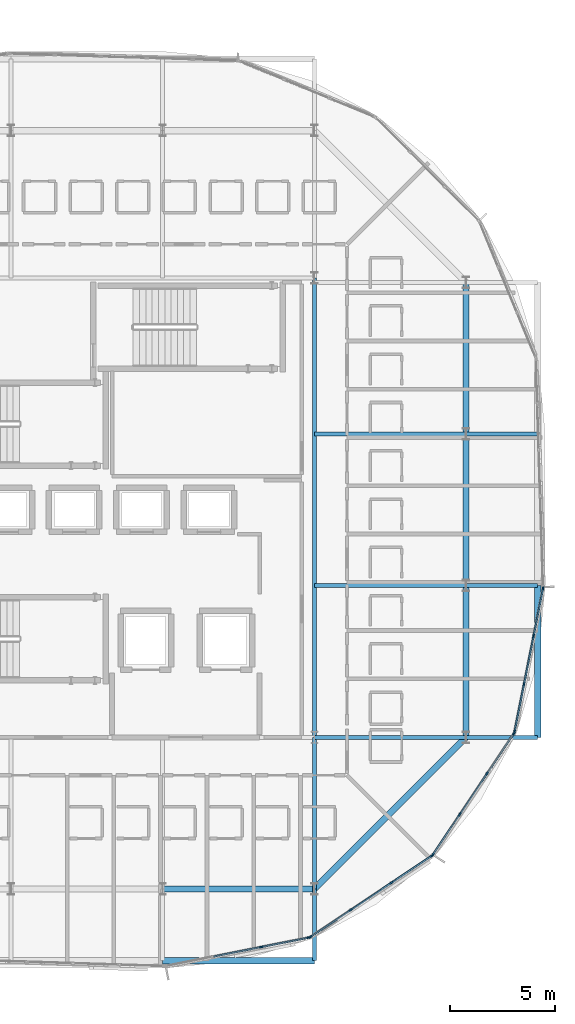
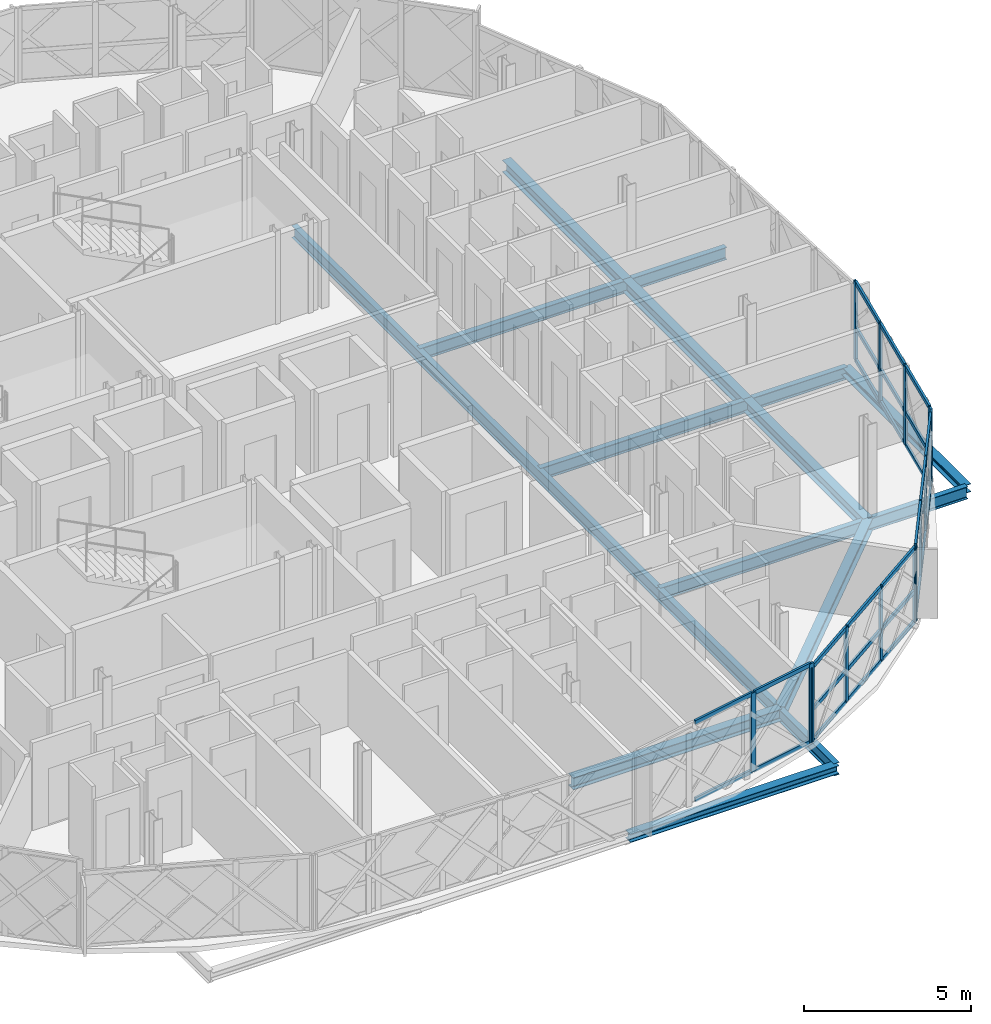
# One storey, part 9 of 50: 42 members, 16 beams, 4 elements without a shape of their own.
"""IFC4 building model written with IfcOpenShell, lengths in metres."""

import ifcopenshell
import ifcopenshell.guid

model = None  # the IFC model being written
_history = None  # IfcOwnerHistory: only IFC2X3 demands one
_inside = {}  # id of a spatial element -> (the spatial element, [elements in it])
_under = {}  # id of a project, library or spatial element -> (it, [spatial elements below it])
_declared = {}  # id of a project -> (the project, [libraries it declares])
_typed = {}  # id of a type object -> (the type object, [elements of that type])
_made_of = {}  # id of a material, layer set ... -> (it, [elements and type objects made of it])


def new_model(schema):
    """Start an empty IFC model of exactly this schema.

    Asked for "IFC4X3", IfcOpenShell would pick the latest addendum, in which some entities
    have other attributes; the version numbers below select the first issue.
    IFC2X3 requires an IfcOwnerHistory on every rooted entity: one is made here for all.
    """
    global model, _history
    if schema == "IFC4X3":
        model = ifcopenshell.file(schema_version=(4, 3, 0, 0))
    else:
        model = ifcopenshell.file(schema=schema)
    _inside.clear()
    _under.clear()
    _declared.clear()
    _typed.clear()
    _made_of.clear()
    _history = None
    if model.schema == "IFC2X3":
        org = make("IfcOrganization", Name="unknown")
        user = make(
            "IfcPersonAndOrganization",
            ThePerson=make("IfcPerson", FamilyName="unknown"),
            TheOrganization=org,
        )
        app = make(
            "IfcApplication",
            ApplicationDeveloper=org,
            Version="unknown",
            ApplicationFullName="unknown",
            ApplicationIdentifier="unknown",
        )
        _history = make(
            "IfcOwnerHistory",
            OwningUser=user,
            OwningApplication=app,
            ChangeAction="ADDED",
            CreationDate=0,
        )
    return model


def make(cls, **values):
    """One entity of the class cls with the attributes given. An attribute that is None is left unset."""
    return model.create_entity(
        cls, **{name: value for name, value in values.items() if value is not None}
    )


def rooted(cls, **values):
    """An entity with a GlobalId (a new one), such as an element, a storey or a relation."""
    return make(cls, GlobalId=ifcopenshell.guid.new(), OwnerHistory=_history, **values)


def si_unit(unit_type, name, prefix=None):
    """IfcSIUnit, for example si_unit("LENGTHUNIT", "METRE", prefix="MILLI")."""
    return make("IfcSIUnit", UnitType=unit_type, Prefix=prefix, Name=name)


def assignment(units):
    """IfcUnitAssignment: the units of a project."""
    return None if units is None else make("IfcUnitAssignment", Units=units)


def point(xyz):
    """IfcCartesianPoint."""
    return None if xyz is None else make("IfcCartesianPoint", Coordinates=xyz)


def direction(xyz):
    """IfcDirection."""
    return None if xyz is None else make("IfcDirection", DirectionRatios=xyz)


def frame(location, z_axis=None, x_axis=None):
    """IfcAxis2Placement3D, a coordinate frame: its origin and axes. An axis left out is left unset."""
    return make(
        "IfcAxis2Placement3D",
        Location=point(location),
        Axis=direction(z_axis),
        RefDirection=direction(x_axis),
    )


def frame_2d(location, x_axis=None):
    """IfcAxis2Placement2D, a coordinate frame in the plane: its origin and x axis."""
    return make(
        "IfcAxis2Placement2D", Location=point(location), RefDirection=direction(x_axis)
    )


def origin():
    """The frame at (0, 0, 0) with its axes left unset."""
    return frame((0.0, 0.0, 0.0))


def origin_2d():
    """The frame at (0, 0) in the plane with its x axis left unset."""
    return frame_2d((0.0, 0.0))


def place(relative_to, where):
    """IfcLocalPlacement: puts the frame where relative to a parent placement (None: the world)."""
    return make(
        "IfcLocalPlacement", PlacementRelTo=relative_to, RelativePlacement=where
    )


def context(
    kind, dimensions, precision=None, world=None, true_north=None, identifier=None
):
    """IfcGeometricRepresentationContext, for example the 3D "Model" context."""
    return make(
        "IfcGeometricRepresentationContext",
        ContextIdentifier=identifier,
        ContextType=kind,
        CoordinateSpaceDimension=dimensions,
        Precision=precision,
        WorldCoordinateSystem=world,
        TrueNorth=true_north,
    )


def subcontext(parent, identifier, kind, view, scale=None):
    """IfcGeometricRepresentationSubContext, for example "Body" below "Model"."""
    return make(
        "IfcGeometricRepresentationSubContext",
        ContextIdentifier=identifier,
        ContextType=kind,
        ParentContext=parent,
        TargetScale=scale,
        TargetView=view,
    )


def project(units=None, contexts=None):
    """IfcProject with its units and contexts."""
    return rooted(
        "IfcProject",
        Name="project",
        RepresentationContexts=contexts,
        UnitsInContext=assignment(units),
    )


def spatial(cls, under=None, at=None, **own):
    """A site, building, storey or space (cls), placed at a placement, below another one or the project."""
    s = rooted(cls, ObjectPlacement=at, **own)
    if under is not None:
        _under.setdefault(under.id(), (under, []))[1].append(s)
    return s


def profile(cls, at=None, kind="AREA", **sizes):
    """A parametric profile (cls). Its sizes go by their IFC names, for example OverallWidth=200.0."""
    return make(cls, ProfileType=kind, Position=at, **sizes)


def rectangle(**sizes):
    """IfcRectangleProfileDef."""
    return profile("IfcRectangleProfileDef", **sizes)


def i_section(**sizes):
    """IfcIShapeProfileDef."""
    return profile("IfcIShapeProfileDef", **sizes)


def extrude(swept, where, along, depth):
    """IfcExtrudedAreaSolid: the profile swept, set in the frame where, extruded along a direction by depth."""
    return make(
        "IfcExtrudedAreaSolid",
        SweptArea=swept,
        Position=where,
        ExtrudedDirection=direction(along),
        Depth=depth,
    )


def shape(context_of_items, identifier, shape_type, items):
    """IfcShapeRepresentation: the items that make up one representation, for example the "Body"."""
    return make(
        "IfcShapeRepresentation",
        ContextOfItems=context_of_items,
        RepresentationIdentifier=identifier,
        RepresentationType=shape_type,
        Items=items,
    )


def material(Name=None, Category=None):
    """IfcMaterial."""
    return make("IfcMaterial", Name=Name, Category=Category)


def layer(
    of_material, thickness, ventilated=None, Name=None, Category=None, Priority=None
):
    """IfcMaterialLayer: one layer of a wall or slab, of a material (None: an air gap)."""
    return make(
        "IfcMaterialLayer",
        Material=of_material,
        LayerThickness=thickness,
        IsVentilated=ventilated,
        Name=Name,
        Category=Category,
        Priority=Priority,
    )


def layer_set(layers, Name=None):
    """IfcMaterialLayerSet."""
    return make("IfcMaterialLayerSet", MaterialLayers=layers, LayerSetName=Name)


def material_profile(
    of_material, cross_section, Name=None, Category=None, Priority=None
):
    """IfcMaterialProfile: a cross section and its material."""
    return make(
        "IfcMaterialProfile",
        Name=Name,
        Material=of_material,
        Profile=cross_section,
        Priority=Priority,
        Category=Category,
    )


def profile_set(profiles, Name=None, composite=None):
    """IfcMaterialProfileSet."""
    return make(
        "IfcMaterialProfileSet",
        Name=Name,
        MaterialProfiles=profiles,
        CompositeProfile=composite,
    )


def made_of(thing, what):
    """Note that an element or type object is made of a material, layer set ...; save() writes the relation."""
    if what is not None:
        _made_of.setdefault(what.id(), (what, []))[1].append(thing)
    return thing


def type_object(cls, material=None, **own):
    """A type object (cls), such as IfcWallType, which elements share."""
    return made_of(rooted(cls, **own), material)


def element(
    cls,
    number,
    at=None,
    inside=None,
    cuts=None,
    type_object=None,
    material=None,
    context=None,
    identifier="Body",
    shape_type=None,
    held_by="IfcProductDefinitionShape",
    body=None,
    shapes=None,
    **own,
):
    """One element of the class cls, such as IfcWall. Its Tag is "e" and its number.

    at: its placement. inside: the storey or other place that contains it. cuts: it is an
    opening in that element (IfcRelVoidsElement). A single representation is given by context,
    identifier, shape_type and body (its items); several are given by shapes. held_by: the class
    of the entity that holds the representations. save() writes the other relations.
    """
    e = rooted(cls, Tag="e%d" % number, ObjectPlacement=at, **own)
    if body is not None:
        shapes = [shape(context, identifier, shape_type, body)]
    if shapes is not None:
        e.Representation = make(held_by, Representations=shapes)
    if inside is not None:
        _inside.setdefault(inside.id(), (inside, []))[1].append(e)
    if cuts is not None:
        rooted(
            "IfcRelVoidsElement", RelatingBuildingElement=cuts, RelatedOpeningElement=e
        )
    if type_object is not None:
        _typed.setdefault(type_object.id(), (type_object, []))[1].append(e)
    return made_of(e, material)


def aggregate(whole, parts):
    """IfcRelAggregates: a whole, such as a stair, and the parts it consists of."""
    return rooted("IfcRelAggregates", RelatingObject=whole, RelatedObjects=parts)


def save(model, path):
    """Write the relations noted so far, then the file.

    IfcRelAggregates (storeys below a building ...), IfcRelContainedInSpatialStructure (elements
    in a storey), IfcRelDefinesByType, IfcRelAssociatesMaterial and IfcRelDeclares: one each for
    every whole, place, type object, material and project.
    """
    for whole, parts in _under.values():
        aggregate(whole, parts)
    for where, things in _inside.values():
        rooted(
            "IfcRelContainedInSpatialStructure",
            RelatedElements=things,
            RelatingStructure=where,
        )
    for kind, things in _typed.values():
        rooted("IfcRelDefinesByType", RelatedObjects=things, RelatingType=kind)
    for what, things in _made_of.values():
        rooted("IfcRelAssociatesMaterial", RelatedObjects=things, RelatingMaterial=what)
    for by, libraries in _declared.values():
        rooted("IfcRelDeclares", RelatingContext=by, RelatedDefinitions=libraries)
    model.write(path)


model = new_model("IFC4")

# Units and contexts
model_context = context("Model", 3, precision=1e-05, world=origin(), true_north=direction((0.0, 1.0)))
body_context = subcontext(model_context, "Body", "Model", "MODEL_VIEW")
ifc_project = project(units=[si_unit("LENGTHUNIT", "METRE"), si_unit("AREAUNIT", "SQUARE_METRE"), si_unit("VOLUMEUNIT", "CUBIC_METRE"), si_unit("PLANEANGLEUNIT", "RADIAN"), si_unit("MASSUNIT", "GRAM", prefix="KILO")], contexts=[model_context])

# Site, building, storey
site_placement = place(None, origin())
site = spatial("IfcSite", under=ifc_project, at=site_placement, CompositionType="ELEMENT")
building_placement = place(site_placement, origin())
building = spatial("IfcBuilding", under=site, at=building_placement, Name="Zevrakil Square Congress Hotel", CompositionType="ELEMENT")
storey_placement = place(building_placement, frame((0.0, 0.0, 21.5)))
storey = spatial("IfcBuildingStorey", under=building, at=storey_placement, Name="L06", CompositionType="ELEMENT", Elevation=21.5)

# Beams
ifc_material_1 = material(Name="Steel S355", Category="steel")
ifc_material_profile_1 = material_profile(ifc_material_1, i_section(OverallWidth=0.300048828125, OverallDepth=0.43994140625, WebThickness=0.011474609375, FlangeThickness=0.02099609375, FilletRadius=0.027099609375, at=origin_2d()), Name="HEA 450")
ifc_profile_set_1 = profile_set([ifc_material_profile_1], Name="Steel S355")
beam_type_1 = type_object("IfcBeamType", Name="BM-HEA450", PredefinedType="BEAM", material=ifc_profile_set_1)
beam_1_placement = place(storey_placement, frame((148.800048828125, 9.60009765625, -0.409912109375), z_axis=(1.0, 0.0, 0.0), x_axis=(0.0, 1.0, 0.0)))
element("IfcBeam", 1, at=beam_1_placement, inside=storey, type_object=beam_type_1, Name="L06 drum ring girder DRB-03", PredefinedType="BEAM", context=body_context, shape_type="SweptSolid", body=[
    extrude(i_section(OverallWidth=0.300048828125, OverallDepth=0.43994140625, WebThickness=0.011474609375, FlangeThickness=0.02099609375, FilletRadius=0.027099609375, at=origin_2d()), origin(), (0.0, 0.0, 1.0), 7.199951171875),
])
beam_2_placement = place(storey_placement, frame((156.0, 9.60009765625, -0.409912109375), z_axis=(0.707106781187, 0.707106781187, 0.0), x_axis=(-0.707106781187, 0.707106781187, 0.0)))
element("IfcBeam", 2, at=beam_2_placement, inside=storey, type_object=beam_type_1, Name="L06 drum ring girder DRB-04", PredefinedType="BEAM", context=body_context, shape_type="SweptSolid", body=[
    extrude(i_section(OverallWidth=0.300048828125, OverallDepth=0.43994140625, WebThickness=0.011474609375, FlangeThickness=0.02099609375, FilletRadius=0.027099609375, at=origin_2d()), origin(), (0.0, 0.0, 1.0), 10.182373046875),
])
for number, where, z_axis, x_axis, name in (
    (3, (163.199951171875, 16.800048828125, -0.409912109375), (0.0, 1.0, 0.0), (-1.0, 0.0, 0.0), "L06 drum ring girder DRB-05"),
    (4, (163.199951171875, 24.0, -0.409912109375), (0.0, 1.0, 0.0), (-1.0, 0.0, 0.0), "L06 drum ring girder DRB-06"),
    (5, (163.199951171875, 31.199951171875, -0.409912109375), (0.0, 1.0, 0.0), (-1.0, 0.0, 0.0), "L06 drum ring girder DRB-07"),
):
    element("IfcBeam", number, at=place(storey_placement, frame(where, z_axis=z_axis, x_axis=x_axis)), inside=storey, type_object=beam_type_1, Name=name, PredefinedType="BEAM", context=body_context, shape_type="SweptSolid", body=[
        extrude(i_section(OverallWidth=0.300048828125, OverallDepth=0.43994140625, WebThickness=0.011474609375, FlangeThickness=0.02099609375, FilletRadius=0.027099609375, at=origin_2d()), origin(), (0.0, 0.0, 1.0), 7.199951171875),
    ])
ifc_material_2 = material(Name="Steel S355", Category="steel")
ifc_material_profile_2 = material_profile(ifc_material_2, i_section(OverallWidth=0.18994140625, OverallDepth=0.449951171875, WebThickness=0.009521484375, FlangeThickness=0.0146484375, FilletRadius=0.02099609375, at=origin_2d()), Name="IPE 450")
ifc_profile_set_2 = profile_set([ifc_material_profile_2], Name="Steel S355")
beam_type_2 = type_object("IfcBeamType", Name="BM-IPE450", PredefinedType="BEAM", material=ifc_profile_set_2)
beam_3_placement = place(storey_placement, frame((156.0, 16.800048828125, -0.4150390625), z_axis=(0.0, 1.0, 0.0), x_axis=(-1.0, 0.0, 0.0)))
element("IfcBeam", 6, at=beam_3_placement, inside=storey, type_object=beam_type_2, Name="L06 drum core perimeter tie beam DCB-02", PredefinedType="BEAM", context=body_context, shape_type="SweptSolid", body=[
    extrude(i_section(OverallWidth=0.18994140625, OverallDepth=0.449951171875, WebThickness=0.009521484375, FlangeThickness=0.0146484375, FilletRadius=0.02099609375, at=origin_2d()), origin(), (0.0, 0.0, 1.0), 21.800048828125),
])
beam_4_placement = place(storey_placement, frame((156.0, 16.800048828125, -0.4150390625), z_axis=(0.0, -1.0, 0.0), x_axis=(1.0, 0.0, 0.0)))
element("IfcBeam", 7, at=beam_4_placement, inside=storey, type_object=beam_type_2, Name="L06 drum radial floor beam DRI-04", PredefinedType="BEAM", context=body_context, shape_type="SweptSolid", body=[
    extrude(i_section(OverallWidth=0.18994140625, OverallDepth=0.449951171875, WebThickness=0.009521484375, FlangeThickness=0.0146484375, FilletRadius=0.02099609375, at=origin_2d()), origin(), (0.0, 0.0, 1.0), 7.199951171875),
])
beam_5_placement = place(storey_placement, frame((156.0, 9.60009765625, -0.4150390625), z_axis=(0.0, -1.0, 0.0), x_axis=(1.0, 0.0, 0.0)))
element("IfcBeam", 8, at=beam_5_placement, inside=storey, type_object=beam_type_2, Name="L06 drum radial edge cantilever beam DRO-04", PredefinedType="BEAM", context=body_context, shape_type="SweptSolid", body=[
    extrude(i_section(OverallWidth=0.18994140625, OverallDepth=0.449951171875, WebThickness=0.009521484375, FlangeThickness=0.0146484375, FilletRadius=0.02099609375, at=origin_2d()), origin(), (0.0, 0.0, 1.0), 3.400146484375),
])
beam_6_placement = place(storey_placement, frame((156.0, 16.800048828125, -0.4150390625), z_axis=(1.0, 0.0, 0.0), x_axis=(0.0, 1.0, 0.0)))
element("IfcBeam", 9, at=beam_6_placement, inside=storey, type_object=beam_type_2, Name="L06 drum radial floor beam DRI-05", PredefinedType="BEAM", context=body_context, shape_type="SweptSolid", body=[
    extrude(i_section(OverallWidth=0.18994140625, OverallDepth=0.449951171875, WebThickness=0.009521484375, FlangeThickness=0.0146484375, FilletRadius=0.02099609375, at=origin_2d()), origin(), (0.0, 0.0, 1.0), 7.199951171875),
])
beam_7_placement = place(storey_placement, frame((163.199951171875, 16.800048828125, -0.4150390625), z_axis=(1.0, 0.0, 0.0), x_axis=(0.0, 1.0, 0.0)))
element("IfcBeam", 10, at=beam_7_placement, inside=storey, type_object=beam_type_2, Name="L06 drum radial edge cantilever beam DRO-05", PredefinedType="BEAM", context=body_context, shape_type="SweptSolid", body=[
    extrude(i_section(OverallWidth=0.18994140625, OverallDepth=0.449951171875, WebThickness=0.009521484375, FlangeThickness=0.0146484375, FilletRadius=0.02099609375, at=origin_2d()), origin(), (0.0, 0.0, 1.0), 3.400146484375),
])
beam_8_placement = place(storey_placement, frame((156.0, 24.0, -0.4150390625), z_axis=(1.0, 0.0, 0.0), x_axis=(0.0, 1.0, 0.0)))
element("IfcBeam", 11, at=beam_8_placement, inside=storey, type_object=beam_type_2, Name="L06 drum radial floor beam DRI-06", PredefinedType="BEAM", context=body_context, shape_type="SweptSolid", body=[
    extrude(i_section(OverallWidth=0.18994140625, OverallDepth=0.449951171875, WebThickness=0.009521484375, FlangeThickness=0.0146484375, FilletRadius=0.02099609375, at=origin_2d()), origin(), (0.0, 0.0, 1.0), 7.199951171875),
])
beam_9_placement = place(storey_placement, frame((163.199951171875, 24.0, -0.4150390625), z_axis=(1.0, 0.0, 0.0), x_axis=(0.0, 1.0, 0.0)))
element("IfcBeam", 12, at=beam_9_placement, inside=storey, type_object=beam_type_2, Name="L06 drum radial edge cantilever beam DRO-06", PredefinedType="BEAM", context=body_context, shape_type="SweptSolid", body=[
    extrude(i_section(OverallWidth=0.18994140625, OverallDepth=0.449951171875, WebThickness=0.009521484375, FlangeThickness=0.0146484375, FilletRadius=0.02099609375, at=origin_2d()), origin(), (0.0, 0.0, 1.0), 3.400146484375),
])
beam_10_placement = place(storey_placement, frame((156.0, 31.199951171875, -0.4150390625), z_axis=(1.0, 0.0, 0.0), x_axis=(0.0, 1.0, 0.0)))
element("IfcBeam", 13, at=beam_10_placement, inside=storey, type_object=beam_type_2, Name="L06 drum radial floor beam DRI-07", PredefinedType="BEAM", context=body_context, shape_type="SweptSolid", body=[
    extrude(i_section(OverallWidth=0.18994140625, OverallDepth=0.449951171875, WebThickness=0.009521484375, FlangeThickness=0.0146484375, FilletRadius=0.02099609375, at=origin_2d()), origin(), (0.0, 0.0, 1.0), 7.199951171875),
])
beam_11_placement = place(storey_placement, frame((163.199951171875, 31.199951171875, -0.4150390625), z_axis=(1.0, 0.0, 0.0), x_axis=(0.0, 1.0, 0.0)))
element("IfcBeam", 14, at=beam_11_placement, inside=storey, type_object=beam_type_2, Name="L06 drum radial edge cantilever beam DRO-07", PredefinedType="BEAM", context=body_context, shape_type="SweptSolid", body=[
    extrude(i_section(OverallWidth=0.18994140625, OverallDepth=0.449951171875, WebThickness=0.009521484375, FlangeThickness=0.0146484375, FilletRadius=0.02099609375, at=origin_2d()), origin(), (0.0, 0.0, 1.0), 3.400146484375),
])

# Curtain wall, members
ifc_material_3 = material(Name="Aluminium Anodised Bronze", Category="aluminium")
ifc_layer = layer(ifc_material_3, 0.179931640625)
ifc_layer_set = layer_set([ifc_layer], Name="Aluminium Anodised Bronze")
curtain_wall_type = type_object("IfcCurtainWallType", Name="CW-L06-720", PredefinedType="USERDEFINED", material=ifc_layer_set)
curtain_wall_1_placement = place(storey_placement, origin())
curtain_wall_1 = element("IfcCurtainWall", 15, at=curtain_wall_1_placement, inside=storey, type_object=curtain_wall_type, Name="L06 diamond curtain wall CW-L06-0201", ObjectType="GLAZED CURTAIN WALL", PredefinedType="USERDEFINED")
ifc_material_4 = material(Name="Aluminium Anodised Bronze", Category="aluminium")
ifc_material_profile_3 = material_profile(ifc_material_4, rectangle(XDim=0.074951171875, YDim=0.14990234375, at=origin_2d()), Name="ALU 75x150")
ifc_profile_set_3 = profile_set([ifc_material_profile_3], Name="Aluminium Anodised Bronze")
member_type_1 = type_object("IfcMemberType", Name="CWM-ALU75x150", PredefinedType="USERDEFINED", material=ifc_profile_set_3)
member_1_placement = place(storey_placement, frame((151.224853515625, 6.4013671875, 0.030029296875), z_axis=(0.980786492568, 0.195084227953, 0.0), x_axis=(-0.195084227953, 0.980786492568, 0.0)))
member_1 = element("IfcMember", 16, at=member_1_placement, type_object=member_type_1, Name="CW-70 transom 2.1", ObjectType="TRANSOM", PredefinedType="USERDEFINED", context=body_context, shape_type="SweptSolid", body=[
    extrude(rectangle(XDim=0.074951171875, YDim=0.14990234375, at=origin_2d()), origin(), (0.0, 0.0, 1.0), 2.275146484375),
])
member_2_placement = place(storey_placement, frame((151.224853515625, 6.4013671875, 2.85009765625), z_axis=(0.980786492568, 0.195084227953, 0.0), x_axis=(-0.195084227953, 0.980786492568, 0.0)))
member_2 = element("IfcMember", 17, at=member_2_placement, type_object=member_type_1, Name="CW-70 transom 2.2", ObjectType="TRANSOM", PredefinedType="USERDEFINED", context=body_context, shape_type="SweptSolid", body=[
    extrude(rectangle(XDim=0.074951171875, YDim=0.14990234375, at=origin_2d()), origin(), (0.0, 0.0, 1.0), 2.275146484375),
])
member_3_placement = place(storey_placement, frame((153.51513671875, 6.85693359375, 0.030029296875), z_axis=(0.98078922397, 0.195070495322, 0.0), x_axis=(-0.195070495322, 0.98078922397, 0.0)))
member_3 = element("IfcMember", 18, at=member_3_placement, type_object=member_type_1, Name="CW-70 transom 3.1", ObjectType="TRANSOM", PredefinedType="USERDEFINED", context=body_context, shape_type="SweptSolid", body=[
    extrude(rectangle(XDim=0.074951171875, YDim=0.14990234375, at=origin_2d()), origin(), (0.0, 0.0, 1.0), 2.245361328125),
])
member_4_placement = place(storey_placement, frame((153.51513671875, 6.85693359375, 2.85009765625), z_axis=(0.98078922397, 0.195070495322, 0.0), x_axis=(-0.195070495322, 0.98078922397, 0.0)))
member_4 = element("IfcMember", 19, at=member_4_placement, type_object=member_type_1, Name="CW-70 transom 3.2", ObjectType="TRANSOM", PredefinedType="USERDEFINED", context=body_context, shape_type="SweptSolid", body=[
    extrude(rectangle(XDim=0.074951171875, YDim=0.14990234375, at=origin_2d()), origin(), (0.0, 0.0, 1.0), 2.245361328125),
])

curtain_wall_2_placement = place(storey_placement, origin())
curtain_wall_2 = element("IfcCurtainWall", 20, at=curtain_wall_2_placement, inside=storey, type_object=curtain_wall_type, Name="L06 diamond curtain wall CW-L06-0202", ObjectType="GLAZED CURTAIN WALL", PredefinedType="USERDEFINED")
member_5_placement = place(storey_placement, frame((155.825927734375, 7.340087890625, 0.030029296875), z_axis=(0.831497842201, 0.555527981667, 0.0), x_axis=(-0.555527981667, 0.831497842201, 0.0)))
member_5 = element("IfcMember", 21, at=member_5_placement, type_object=member_type_1, Name="CW-70 transom 1.1", ObjectType="TRANSOM", PredefinedType="USERDEFINED", context=body_context, shape_type="SweptSolid", body=[
    extrude(rectangle(XDim=0.074951171875, YDim=0.14990234375, at=origin_2d()), origin(), (0.0, 0.0, 1.0), 2.245361328125),
])
member_6_placement = place(storey_placement, frame((155.825927734375, 7.340087890625, 1.146484375), z_axis=(0.831497842201, 0.555527981667, 0.0), x_axis=(-0.555527981667, 0.831497842201, 0.0)))
member_6 = element("IfcMember", 22, at=member_6_placement, type_object=member_type_1, Name="CW-70 transom 1.2", ObjectType="TRANSOM", PredefinedType="USERDEFINED", context=body_context, shape_type="SweptSolid", body=[
    extrude(rectangle(XDim=0.074951171875, YDim=0.14990234375, at=origin_2d()), origin(), (0.0, 0.0, 1.0), 2.245361328125),
])
member_7_placement = place(storey_placement, frame((155.825927734375, 7.340087890625, 2.699951171875), z_axis=(0.831497842201, 0.555527981667, 0.0), x_axis=(-0.555527981667, 0.831497842201, 0.0)))
member_7 = element("IfcMember", 23, at=member_7_placement, type_object=member_type_1, Name="CW-70 transom 1.3", ObjectType="TRANSOM", PredefinedType="USERDEFINED", context=body_context, shape_type="SweptSolid", body=[
    extrude(rectangle(XDim=0.074951171875, YDim=0.14990234375, at=origin_2d()), origin(), (0.0, 0.0, 1.0), 2.245361328125),
])
member_8_placement = place(storey_placement, frame((157.74267578125, 8.620849609375, 0.030029296875), z_axis=(0.831505114703, 0.555517096247, 0.0), x_axis=(-0.555517096247, 0.831505114703, 0.0)))
member_8 = element("IfcMember", 24, at=member_8_placement, type_object=member_type_1, Name="CW-70 transom 2.1", ObjectType="TRANSOM", PredefinedType="USERDEFINED", context=body_context, shape_type="SweptSolid", body=[
    extrude(rectangle(XDim=0.074951171875, YDim=0.14990234375, at=origin_2d()), origin(), (0.0, 0.0, 1.0), 2.275146484375),
])
member_9_placement = place(storey_placement, frame((157.74267578125, 8.620849609375, 1.146484375), z_axis=(0.831505114703, 0.555517096247, 0.0), x_axis=(-0.555517096247, 0.831505114703, 0.0)))
member_9 = element("IfcMember", 25, at=member_9_placement, type_object=member_type_1, Name="CW-70 transom 2.2", ObjectType="TRANSOM", PredefinedType="USERDEFINED", context=body_context, shape_type="SweptSolid", body=[
    extrude(rectangle(XDim=0.074951171875, YDim=0.14990234375, at=origin_2d()), origin(), (0.0, 0.0, 1.0), 2.275146484375),
])
member_10_placement = place(storey_placement, frame((157.74267578125, 8.620849609375, 2.699951171875), z_axis=(0.831505114703, 0.555517096247, 0.0), x_axis=(-0.555517096247, 0.831505114703, 0.0)))
member_10 = element("IfcMember", 26, at=member_10_placement, type_object=member_type_1, Name="CW-70 transom 2.3", ObjectType="TRANSOM", PredefinedType="USERDEFINED", context=body_context, shape_type="SweptSolid", body=[
    extrude(rectangle(XDim=0.074951171875, YDim=0.14990234375, at=origin_2d()), origin(), (0.0, 0.0, 1.0), 2.275146484375),
])
member_11_placement = place(storey_placement, frame((159.684326171875, 9.918212890625, 0.030029296875), z_axis=(0.831497842201, 0.555527981667, 0.0), x_axis=(-0.555527981667, 0.831497842201, 0.0)))
member_11 = element("IfcMember", 27, at=member_11_placement, type_object=member_type_1, Name="CW-70 transom 3.1", ObjectType="TRANSOM", PredefinedType="USERDEFINED", context=body_context, shape_type="SweptSolid", body=[
    extrude(rectangle(XDim=0.074951171875, YDim=0.14990234375, at=origin_2d()), origin(), (0.0, 0.0, 1.0), 2.245361328125),
])
member_12_placement = place(storey_placement, frame((159.684326171875, 9.918212890625, 1.146484375), z_axis=(0.831497842201, 0.555527981667, 0.0), x_axis=(-0.555527981667, 0.831497842201, 0.0)))
member_12 = element("IfcMember", 28, at=member_12_placement, type_object=member_type_1, Name="CW-70 transom 3.2", ObjectType="TRANSOM", PredefinedType="USERDEFINED", context=body_context, shape_type="SweptSolid", body=[
    extrude(rectangle(XDim=0.074951171875, YDim=0.14990234375, at=origin_2d()), origin(), (0.0, 0.0, 1.0), 2.245361328125),
])
member_13_placement = place(storey_placement, frame((159.684326171875, 9.918212890625, 2.699951171875), z_axis=(0.831497842201, 0.555527981667, 0.0), x_axis=(-0.555527981667, 0.831497842201, 0.0)))
member_13 = element("IfcMember", 29, at=member_13_placement, type_object=member_type_1, Name="CW-70 transom 3.3", ObjectType="TRANSOM", PredefinedType="USERDEFINED", context=body_context, shape_type="SweptSolid", body=[
    extrude(rectangle(XDim=0.074951171875, YDim=0.14990234375, at=origin_2d()), origin(), (0.0, 0.0, 1.0), 2.245361328125),
])

curtain_wall_3_placement = place(storey_placement, origin())
curtain_wall_3 = element("IfcCurtainWall", 30, at=curtain_wall_3_placement, inside=storey, type_object=curtain_wall_type, Name="L06 diamond curtain wall CW-L06-0203", ObjectType="GLAZED CURTAIN WALL", PredefinedType="USERDEFINED")
member_14_placement = place(storey_placement, frame((161.634521484375, 11.248779296875, 0.030029296875), z_axis=(0.555527981667, 0.831497842201, 0.0), x_axis=(-0.831497842201, 0.555527981667, 0.0)))
member_14 = element("IfcMember", 31, at=member_14_placement, type_object=member_type_1, Name="CW-70 transom 1.1", ObjectType="TRANSOM", PredefinedType="USERDEFINED", context=body_context, shape_type="SweptSolid", body=[
    extrude(rectangle(XDim=0.074951171875, YDim=0.14990234375, at=origin_2d()), origin(), (0.0, 0.0, 1.0), 2.245361328125),
])
member_15_placement = place(storey_placement, frame((161.634521484375, 11.248779296875, 2.699951171875), z_axis=(0.555527981667, 0.831497842201, 0.0), x_axis=(-0.831497842201, 0.555527981667, 0.0)))
member_15 = element("IfcMember", 32, at=member_15_placement, type_object=member_type_1, Name="CW-70 transom 1.2", ObjectType="TRANSOM", PredefinedType="USERDEFINED", context=body_context, shape_type="SweptSolid", body=[
    extrude(rectangle(XDim=0.074951171875, YDim=0.14990234375, at=origin_2d()), origin(), (0.0, 0.0, 1.0), 2.245361328125),
])
member_16_placement = place(storey_placement, frame((162.915283203125, 13.16552734375, 0.030029296875), z_axis=(0.555517096247, 0.831505114703, 0.0), x_axis=(-0.831505114703, 0.555517096247, 0.0)))
member_16 = element("IfcMember", 33, at=member_16_placement, type_object=member_type_1, Name="CW-70 transom 2.1", ObjectType="TRANSOM", PredefinedType="USERDEFINED", context=body_context, shape_type="SweptSolid", body=[
    extrude(rectangle(XDim=0.074951171875, YDim=0.14990234375, at=origin_2d()), origin(), (0.0, 0.0, 1.0), 2.275146484375),
])
member_17_placement = place(storey_placement, frame((162.915283203125, 13.16552734375, 2.699951171875), z_axis=(0.555517096247, 0.831505114703, 0.0), x_axis=(-0.831505114703, 0.555517096247, 0.0)))
member_17 = element("IfcMember", 34, at=member_17_placement, type_object=member_type_1, Name="CW-70 transom 2.2", ObjectType="TRANSOM", PredefinedType="USERDEFINED", context=body_context, shape_type="SweptSolid", body=[
    extrude(rectangle(XDim=0.074951171875, YDim=0.14990234375, at=origin_2d()), origin(), (0.0, 0.0, 1.0), 2.275146484375),
])
member_18_placement = place(storey_placement, frame((164.212646484375, 15.107177734375, 0.030029296875), z_axis=(0.555527981667, 0.831497842201, 0.0), x_axis=(-0.831497842201, 0.555527981667, 0.0)))
member_18 = element("IfcMember", 35, at=member_18_placement, type_object=member_type_1, Name="CW-70 transom 3.1", ObjectType="TRANSOM", PredefinedType="USERDEFINED", context=body_context, shape_type="SweptSolid", body=[
    extrude(rectangle(XDim=0.074951171875, YDim=0.14990234375, at=origin_2d()), origin(), (0.0, 0.0, 1.0), 2.245361328125),
])
member_19_placement = place(storey_placement, frame((164.212646484375, 15.107177734375, 2.699951171875), z_axis=(0.555527981667, 0.831497842201, 0.0), x_axis=(-0.831497842201, 0.555527981667, 0.0)))
member_19 = element("IfcMember", 36, at=member_19_placement, type_object=member_type_1, Name="CW-70 transom 3.2", ObjectType="TRANSOM", PredefinedType="USERDEFINED", context=body_context, shape_type="SweptSolid", body=[
    extrude(rectangle(XDim=0.074951171875, YDim=0.14990234375, at=origin_2d()), origin(), (0.0, 0.0, 1.0), 2.245361328125),
])

curtain_wall_4_placement = place(storey_placement, origin())
curtain_wall_4 = element("IfcCurtainWall", 37, at=curtain_wall_4_placement, inside=storey, type_object=curtain_wall_type, Name="L06 diamond curtain wall CW-L06-0204", ObjectType="GLAZED CURTAIN WALL", PredefinedType="USERDEFINED")
member_20_placement = place(storey_placement, frame((165.505126953125, 17.082763671875, 0.030029296875), z_axis=(0.195070495322, 0.98078922397, 0.0), x_axis=(-0.98078922397, 0.195070495322, 0.0)))
member_20 = element("IfcMember", 38, at=member_20_placement, type_object=member_type_1, Name="CW-70 transom 1.1", ObjectType="TRANSOM", PredefinedType="USERDEFINED", context=body_context, shape_type="SweptSolid", body=[
    extrude(rectangle(XDim=0.074951171875, YDim=0.14990234375, at=origin_2d()), origin(), (0.0, 0.0, 1.0), 2.245361328125),
])
member_21_placement = place(storey_placement, frame((165.505126953125, 17.082763671875, 1.209716796875), z_axis=(0.195070495322, 0.98078922397, 0.0), x_axis=(-0.98078922397, 0.195070495322, 0.0)))
member_21 = element("IfcMember", 39, at=member_21_placement, type_object=member_type_1, Name="CW-70 transom 1.2", ObjectType="TRANSOM", PredefinedType="USERDEFINED", context=body_context, shape_type="SweptSolid", body=[
    extrude(rectangle(XDim=0.074951171875, YDim=0.14990234375, at=origin_2d()), origin(), (0.0, 0.0, 1.0), 2.245361328125),
])
member_22_placement = place(storey_placement, frame((165.505126953125, 17.082763671875, 2.85009765625), z_axis=(0.195070495322, 0.98078922397, 0.0), x_axis=(-0.98078922397, 0.195070495322, 0.0)))
member_22 = element("IfcMember", 40, at=member_22_placement, type_object=member_type_1, Name="CW-70 transom 1.3", ObjectType="TRANSOM", PredefinedType="USERDEFINED", context=body_context, shape_type="SweptSolid", body=[
    extrude(rectangle(XDim=0.074951171875, YDim=0.14990234375, at=origin_2d()), origin(), (0.0, 0.0, 1.0), 2.245361328125),
])
member_23_placement = place(storey_placement, frame((165.954833984375, 19.34375, 0.030029296875), z_axis=(0.195084227953, 0.980786492568, 0.0), x_axis=(-0.980786492568, 0.195084227953, 0.0)))
member_23 = element("IfcMember", 41, at=member_23_placement, type_object=member_type_1, Name="CW-70 transom 2.1", ObjectType="TRANSOM", PredefinedType="USERDEFINED", context=body_context, shape_type="SweptSolid", body=[
    extrude(rectangle(XDim=0.074951171875, YDim=0.14990234375, at=origin_2d()), origin(), (0.0, 0.0, 1.0), 2.275146484375),
])
member_24_placement = place(storey_placement, frame((165.954833984375, 19.34375, 1.209716796875), z_axis=(0.195084227953, 0.980786492568, 0.0), x_axis=(-0.980786492568, 0.195084227953, 0.0)))
member_24 = element("IfcMember", 42, at=member_24_placement, type_object=member_type_1, Name="CW-70 transom 2.2", ObjectType="TRANSOM", PredefinedType="USERDEFINED", context=body_context, shape_type="SweptSolid", body=[
    extrude(rectangle(XDim=0.074951171875, YDim=0.14990234375, at=origin_2d()), origin(), (0.0, 0.0, 1.0), 2.275146484375),
])
member_25_placement = place(storey_placement, frame((165.954833984375, 19.34375, 2.85009765625), z_axis=(0.195084227953, 0.980786492568, 0.0), x_axis=(-0.980786492568, 0.195084227953, 0.0)))
member_25 = element("IfcMember", 43, at=member_25_placement, type_object=member_type_1, Name="CW-70 transom 2.3", ObjectType="TRANSOM", PredefinedType="USERDEFINED", context=body_context, shape_type="SweptSolid", body=[
    extrude(rectangle(XDim=0.074951171875, YDim=0.14990234375, at=origin_2d()), origin(), (0.0, 0.0, 1.0), 2.275146484375),
])
member_26_placement = place(storey_placement, frame((166.410400390625, 21.634033203125, 0.030029296875), z_axis=(0.195070495322, 0.98078922397, 0.0), x_axis=(-0.98078922397, 0.195070495322, 0.0)))
member_26 = element("IfcMember", 44, at=member_26_placement, type_object=member_type_1, Name="CW-70 transom 3.1", ObjectType="TRANSOM", PredefinedType="USERDEFINED", context=body_context, shape_type="SweptSolid", body=[
    extrude(rectangle(XDim=0.074951171875, YDim=0.14990234375, at=origin_2d()), origin(), (0.0, 0.0, 1.0), 2.245361328125),
])
member_27_placement = place(storey_placement, frame((166.410400390625, 21.634033203125, 1.209716796875), z_axis=(0.195070495322, 0.98078922397, 0.0), x_axis=(-0.98078922397, 0.195070495322, 0.0)))
member_27 = element("IfcMember", 45, at=member_27_placement, type_object=member_type_1, Name="CW-70 transom 3.2", ObjectType="TRANSOM", PredefinedType="USERDEFINED", context=body_context, shape_type="SweptSolid", body=[
    extrude(rectangle(XDim=0.074951171875, YDim=0.14990234375, at=origin_2d()), origin(), (0.0, 0.0, 1.0), 2.245361328125),
])
member_28_placement = place(storey_placement, frame((166.410400390625, 21.634033203125, 2.85009765625), z_axis=(0.195070495322, 0.98078922397, 0.0), x_axis=(-0.98078922397, 0.195070495322, 0.0)))
member_28 = element("IfcMember", 46, at=member_28_placement, type_object=member_type_1, Name="CW-70 transom 3.3", ObjectType="TRANSOM", PredefinedType="USERDEFINED", context=body_context, shape_type="SweptSolid", body=[
    extrude(rectangle(XDim=0.074951171875, YDim=0.14990234375, at=origin_2d()), origin(), (0.0, 0.0, 1.0), 2.245361328125),
])

# Member
ifc_material_5 = material(Name="Aluminium Anodised Bronze", Category="aluminium")
ifc_material_profile_4 = material_profile(ifc_material_5, rectangle(XDim=0.074951171875, YDim=0.179931640625, at=origin_2d()), Name="ALU 75x180")
ifc_profile_set_4 = profile_set([ifc_material_profile_4], Name="Aluminium Anodised Bronze")
member_type_2 = type_object("IfcMemberType", Name="CWM-ALU75x180", PredefinedType="MULLION", material=ifc_profile_set_4)
member_29_placement = place(storey_placement, frame((153.48583984375, 6.85107421875, 0.0), z_axis=(0.0, 0.0, 1.0), x_axis=(-0.195083900459, 0.980786557708, 0.0)))
member_29 = element("IfcMember", 47, at=member_29_placement, type_object=member_type_2, Name="CW-70 mullion 3", PredefinedType="MULLION", context=body_context, shape_type="SweptSolid", body=[
    extrude(rectangle(XDim=0.074951171875, YDim=0.179931640625, at=origin_2d()), origin(), (0.0, 0.0, 1.0), 2.8798828125),
])

member_30_placement = place(storey_placement, frame((155.74658203125, 7.30078125, 0.0), z_axis=(0.0, 0.0, 1.0), x_axis=(-0.195083900459, 0.980786557708, 0.0)))
member_30 = element("IfcMember", 48, at=member_30_placement, type_object=member_type_2, Name="CW-70 mullion 4", PredefinedType="MULLION", context=body_context, shape_type="SweptSolid", body=[
    extrude(rectangle(XDim=0.074951171875, YDim=0.179931640625, at=origin_2d()), origin(), (0.0, 0.0, 1.0), 2.8798828125),
])

aggregate(curtain_wall_1, [member_29, member_30, member_1, member_2, member_3, member_4])

member_31_placement = place(storey_placement, frame((155.801025390625, 7.323486328125, 0.0), z_axis=(0.0, 0.0, 1.0), x_axis=(-0.555576098128, 0.831465693332, 0.0)))
member_31 = element("IfcMember", 49, at=member_31_placement, type_object=member_type_2, Name="CW-70 mullion 1", PredefinedType="MULLION", context=body_context, shape_type="SweptSolid", body=[
    extrude(rectangle(XDim=0.074951171875, YDim=0.179931640625, at=origin_2d()), origin(), (0.0, 0.0, 1.0), 2.72998046875),
])

member_32_placement = place(storey_placement, frame((157.7177734375, 8.60400390625, 0.0), z_axis=(0.0, 0.0, 1.0), x_axis=(-0.555576098128, 0.831465693332, 0.0)))
member_32 = element("IfcMember", 50, at=member_32_placement, type_object=member_type_2, Name="CW-70 mullion 2", PredefinedType="MULLION", context=body_context, shape_type="SweptSolid", body=[
    extrude(rectangle(XDim=0.074951171875, YDim=0.179931640625, at=origin_2d()), origin(), (0.0, 0.0, 1.0), 2.72998046875),
])

member_33_placement = place(storey_placement, frame((159.659423828125, 9.901611328125, 0.0), z_axis=(0.0, 0.0, 1.0), x_axis=(-0.555576098128, 0.831465693332, 0.0)))
member_33 = element("IfcMember", 51, at=member_33_placement, type_object=member_type_2, Name="CW-70 mullion 3", PredefinedType="MULLION", context=body_context, shape_type="SweptSolid", body=[
    extrude(rectangle(XDim=0.074951171875, YDim=0.179931640625, at=origin_2d()), origin(), (0.0, 0.0, 1.0), 2.72998046875),
])

member_34_placement = place(storey_placement, frame((161.576171875, 11.18212890625, 0.0), z_axis=(0.0, 0.0, 1.0), x_axis=(-0.555576098128, 0.831465693332, 0.0)))
member_34 = element("IfcMember", 52, at=member_34_placement, type_object=member_type_2, Name="CW-70 mullion 4", PredefinedType="MULLION", context=body_context, shape_type="SweptSolid", body=[
    extrude(rectangle(XDim=0.074951171875, YDim=0.179931640625, at=origin_2d()), origin(), (0.0, 0.0, 1.0), 2.72998046875),
])

aggregate(curtain_wall_2, [member_31, member_32, member_33, member_34, member_5, member_6, member_7, member_8, member_9, member_10, member_11, member_12, member_13])

member_35_placement = place(storey_placement, frame((161.61767578125, 11.223876953125, 0.0), z_axis=(0.0, 0.0, 1.0), x_axis=(-0.831465693332, 0.555576098128, 0.0)))
member_35 = element("IfcMember", 53, at=member_35_placement, type_object=member_type_2, Name="CW-70 mullion 1", PredefinedType="MULLION", context=body_context, shape_type="SweptSolid", body=[
    extrude(rectangle(XDim=0.074951171875, YDim=0.179931640625, at=origin_2d()), origin(), (0.0, 0.0, 1.0), 2.72998046875),
])

member_36_placement = place(storey_placement, frame((162.8984375, 13.140625, 0.0), z_axis=(0.0, 0.0, 1.0), x_axis=(-0.831465693332, 0.555576098128, 0.0)))
member_36 = element("IfcMember", 54, at=member_36_placement, type_object=member_type_2, Name="CW-70 mullion 2", PredefinedType="MULLION", context=body_context, shape_type="SweptSolid", body=[
    extrude(rectangle(XDim=0.074951171875, YDim=0.179931640625, at=origin_2d()), origin(), (0.0, 0.0, 1.0), 2.72998046875),
])

member_37_placement = place(storey_placement, frame((164.19580078125, 15.082275390625, 0.0), z_axis=(0.0, 0.0, 1.0), x_axis=(-0.831465693332, 0.555576098128, 0.0)))
member_37 = element("IfcMember", 55, at=member_37_placement, type_object=member_type_2, Name="CW-70 mullion 3", PredefinedType="MULLION", context=body_context, shape_type="SweptSolid", body=[
    extrude(rectangle(XDim=0.074951171875, YDim=0.179931640625, at=origin_2d()), origin(), (0.0, 0.0, 1.0), 2.72998046875),
])

member_38_placement = place(storey_placement, frame((165.4765625, 16.9990234375, 0.0), z_axis=(0.0, 0.0, 1.0), x_axis=(-0.831465693332, 0.555576098128, 0.0)))
member_38 = element("IfcMember", 56, at=member_38_placement, type_object=member_type_2, Name="CW-70 mullion 4", PredefinedType="MULLION", context=body_context, shape_type="SweptSolid", body=[
    extrude(rectangle(XDim=0.074951171875, YDim=0.179931640625, at=origin_2d()), origin(), (0.0, 0.0, 1.0), 2.72998046875),
])

aggregate(curtain_wall_3, [member_35, member_36, member_37, member_38, member_14, member_15, member_16, member_17, member_18, member_19])

member_39_placement = place(storey_placement, frame((165.499267578125, 17.05322265625, 0.0), z_axis=(0.0, 0.0, 1.0), x_axis=(-0.980786557708, 0.195083900459, 0.0)))
member_39 = element("IfcMember", 57, at=member_39_placement, type_object=member_type_2, Name="CW-70 mullion 1", PredefinedType="MULLION", context=body_context, shape_type="SweptSolid", body=[
    extrude(rectangle(XDim=0.074951171875, YDim=0.179931640625, at=origin_2d()), origin(), (0.0, 0.0, 1.0), 2.8798828125),
])

member_40_placement = place(storey_placement, frame((165.948974609375, 19.314208984375, 0.0), z_axis=(0.0, 0.0, 1.0), x_axis=(-0.980786557708, 0.195083900459, 0.0)))
member_40 = element("IfcMember", 58, at=member_40_placement, type_object=member_type_2, Name="CW-70 mullion 2", PredefinedType="MULLION", context=body_context, shape_type="SweptSolid", body=[
    extrude(rectangle(XDim=0.074951171875, YDim=0.179931640625, at=origin_2d()), origin(), (0.0, 0.0, 1.0), 2.8798828125),
])

member_41_placement = place(storey_placement, frame((166.404541015625, 21.604736328125, 0.0), z_axis=(0.0, 0.0, 1.0), x_axis=(-0.980786557708, 0.195083900459, 0.0)))
member_41 = element("IfcMember", 59, at=member_41_placement, type_object=member_type_2, Name="CW-70 mullion 3", PredefinedType="MULLION", context=body_context, shape_type="SweptSolid", body=[
    extrude(rectangle(XDim=0.074951171875, YDim=0.179931640625, at=origin_2d()), origin(), (0.0, 0.0, 1.0), 2.8798828125),
])

member_42_placement = place(storey_placement, frame((166.854248046875, 23.865478515625, 0.0), z_axis=(0.0, 0.0, 1.0), x_axis=(-0.980786557708, 0.195083900459, 0.0)))
member_42 = element("IfcMember", 60, at=member_42_placement, type_object=member_type_2, Name="CW-70 mullion 4", PredefinedType="MULLION", context=body_context, shape_type="SweptSolid", body=[
    extrude(rectangle(XDim=0.074951171875, YDim=0.179931640625, at=origin_2d()), origin(), (0.0, 0.0, 1.0), 2.8798828125),
])

aggregate(curtain_wall_4, [member_39, member_40, member_41, member_42, member_20, member_21, member_22, member_23, member_24, member_25, member_26, member_27, member_28])

# Beams
ifc_material_6 = material(Name="Steel S355", Category="steel")
ifc_material_profile_5 = material_profile(ifc_material_6, i_section(OverallWidth=0.300048828125, OverallDepth=0.300048828125, WebThickness=0.010986328125, FlangeThickness=0.01904296875, FilletRadius=0.027099609375, at=origin_2d()), Name="HEB 300")
ifc_profile_set_5 = profile_set([ifc_material_profile_5], Name="Steel S355")
beam_type_3 = type_object("IfcBeamType", Name="SPD-RHS250", PredefinedType="SPANDREL", material=ifc_profile_set_5)
for number, where, z_axis, x_axis, name in (
    (61, (148.800048828125, 6.199951171875, -0.340087890625), (1.0, 0.0, 0.0), (0.0, 1.0, 0.0), "L06 drum edge spandrel beam DSP-02"),
    (62, (166.60009765625, 16.800048828125, -0.340087890625), (0.0, 1.0, 0.0), (-1.0, 0.0, 0.0), "L06 drum edge spandrel beam DSP-04"),
):
    element("IfcBeam", number, at=place(storey_placement, frame(where, z_axis=z_axis, x_axis=x_axis)), inside=storey, type_object=beam_type_3, Name=name, PredefinedType="SPANDREL", context=body_context, shape_type="SweptSolid", body=[
        extrude(i_section(OverallWidth=0.300048828125, OverallDepth=0.300048828125, WebThickness=0.010986328125, FlangeThickness=0.01904296875, FilletRadius=0.027099609375, at=origin_2d()), origin(), (0.0, 0.0, 1.0), 7.199951171875),
    ])

save(model, "model.ifc")
